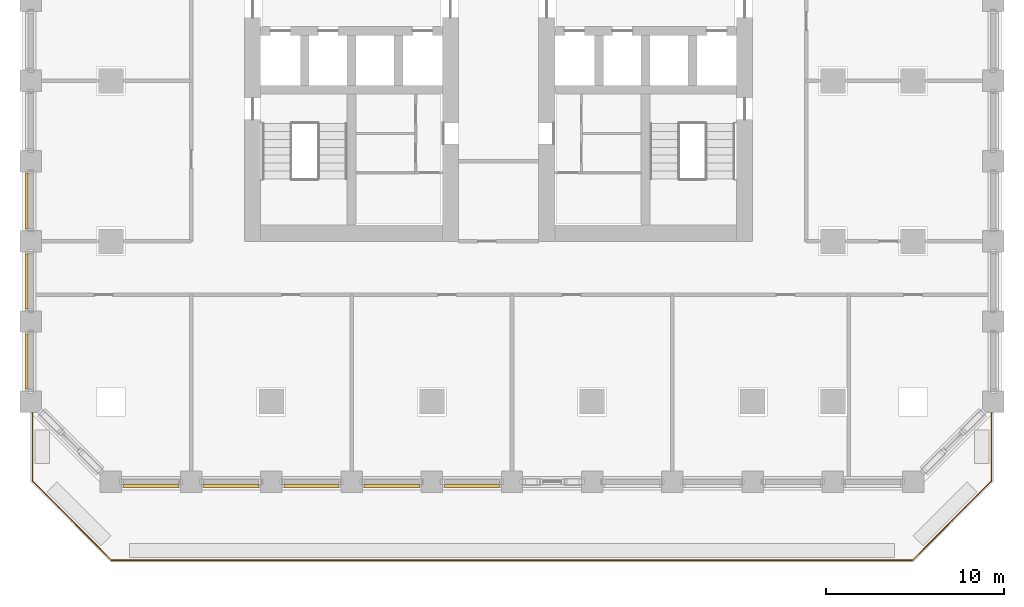
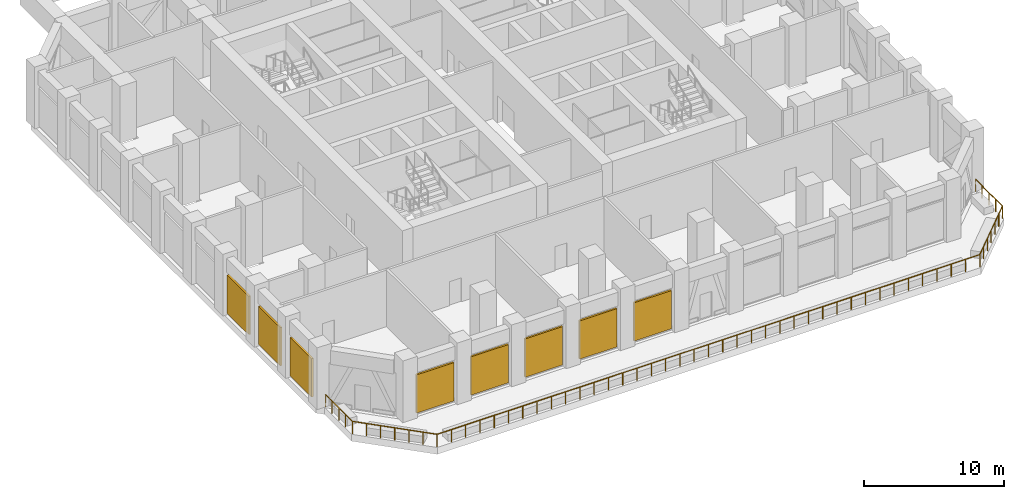
# One storey, part 13 of 20: 8 shading devices, 1 railing.
"""IFC4 building model written with IfcOpenShell, lengths in metres."""

from ifc_helpers import new_model, si_unit, direction, frame, origin, origin_2d, place, context, subcontext, project, spatial, rectangle, circle, extrude, material, layer, layer_set, type_object, element, save


model = new_model("IFC4")

# Units and contexts
model_context = context("Model", 3, precision=1e-05, world=origin(), true_north=direction((0.0, 1.0)))
body_context = subcontext(model_context, "Body", "Model", "MODEL_VIEW")
ifc_project = project(units=[si_unit("LENGTHUNIT", "METRE"), si_unit("AREAUNIT", "SQUARE_METRE"), si_unit("VOLUMEUNIT", "CUBIC_METRE"), si_unit("PLANEANGLEUNIT", "RADIAN"), si_unit("MASSUNIT", "GRAM", prefix="KILO")], contexts=[model_context])

# Site, building, storey
site_placement = place(None, origin())
site = spatial("IfcSite", under=ifc_project, at=site_placement, CompositionType="ELEMENT")
building_placement = place(site_placement, origin())
building = spatial("IfcBuilding", under=site, at=building_placement, Name="Corbel Stack Research Tower", CompositionType="ELEMENT")
storey_placement = place(building_placement, frame((0.0, 0.0, 76.60009765625)))
storey = spatial("IfcBuildingStorey", under=building, at=storey_placement, Name="L17", CompositionType="ELEMENT", Elevation=76.60009765625)

# Shading devices
ifc_material_1 = material(Name="Aluminium louvre", Category="aluminium")
ifc_layer = layer(ifc_material_1, 0.14990234375)
ifc_layer_set = layer_set([ifc_layer], Name="Aluminium louvre")
shading_device_type = type_object("IfcShadingDeviceType", Name="Plant louvre 150", PredefinedType="USERDEFINED", material=ifc_layer_set)
for number, where, z_axis, x_axis, name in (
    (1, (-15.75, -22.72509765625, 0.199951171875), (0.0, 0.0, 1.0), (1.0, 0.0, 0.0), "Plant louvre L17 S01"),
    (2, (-11.25, -22.72509765625, 0.199951171875), (0.0, 0.0, 1.0), (1.0, 0.0, 0.0), "Plant louvre L17 S02"),
    (3, (-6.75, -22.72509765625, 0.199951171875), (0.0, 0.0, 1.0), (1.0, 0.0, 0.0), "Plant louvre L17 S03"),
    (4, (-2.25, -22.72509765625, 0.199951171875), (0.0, 0.0, 1.0), (1.0, 0.0, 0.0), "Plant louvre L17 S04"),
    (5, (2.25, -22.72509765625, 0.199951171875), (0.0, 0.0, 1.0), (1.0, 0.0, 0.0), "Plant louvre L17 S05"),
    (6, (-22.72509765625, -6.75, 0.199951171875), (0.0, 0.0, 1.0), (0.0, -1.0, 0.0), "Plant louvre L17 W07"),
    (7, (-22.72509765625, -11.25, 0.199951171875), (0.0, 0.0, 1.0), (0.0, -1.0, 0.0), "Plant louvre L17 W08"),
    (8, (-22.72509765625, -15.75, 0.199951171875), (0.0, 0.0, 1.0), (0.0, -1.0, 0.0), "Plant louvre L17 W09"),
):
    element("IfcShadingDevice", number, at=place(storey_placement, frame(where, z_axis=z_axis, x_axis=x_axis)), inside=storey, type_object=shading_device_type, Name=name, ObjectType="LOUVRE", PredefinedType="USERDEFINED", context=body_context, shape_type="SweptSolid", body=[
        extrude(rectangle(XDim=3.10009765625, YDim=0.14990234375, at=origin_2d()), origin(), (0.0, 0.0, 1.0), 3.35009765625),
    ])

# Railing
ifc_material_2 = material(Name="Powder-coated steel guard", Category="steel")
railing_type = type_object("IfcRailingType", Name="Steel and glass guard 1100", PredefinedType="GUARDRAIL", material=ifc_material_2)
railing_placement = place(storey_placement, frame((31.39990234375, -18.57421875, 0.0)))
element("IfcRailing", 9, at=railing_placement, inside=storey, type_object=railing_type, Name="Terrace guard L17", PredefinedType="GUARDRAIL", context=body_context, shape_type="SweptSolid", body=[
    extrude(circle(Radius=0.02392578125, at=origin_2d()), frame((0.0, 0.0, 1.076171875), z_axis=(0.0, -1.0, 0.0), x_axis=(1.0, 0.0, 0.0)), (0.0, 0.0, 1.0), 3.88427734375),
    extrude(circle(Radius=0.02392578125, at=origin_2d()), frame((0.0, -3.88427734375, 1.076171875), z_axis=(-0.707106781187, -0.707106781187, 0.0), x_axis=(0.707106781187, -0.707106781187, 0.0)), (0.0, 0.0, 1.0), 6.281005859375),
    extrude(circle(Radius=0.02392578125, at=origin_2d()), frame((-4.44140625, -8.32568359375, 1.076171875), z_axis=(-1.0, 0.0, 0.0), x_axis=(0.0, -1.0, 0.0)), (0.0, 0.0, 1.0), 44.9169921875),
    extrude(circle(Radius=0.02392578125, at=origin_2d()), frame((-49.3583984375, -8.32568359375, 1.076171875), z_axis=(-0.707106781187, 0.707106781187, 0.0), x_axis=(-0.707106781187, -0.707106781187, 0.0)), (0.0, 0.0, 1.0), 6.281005859375),
    extrude(circle(Radius=0.02392578125, at=origin_2d()), frame((-53.7998046875, -3.88427734375, 1.076171875), z_axis=(0.0, 1.0, 0.0), x_axis=(-1.0, 0.0, 0.0)), (0.0, 0.0, 1.0), 3.88427734375),
    extrude(circle(Radius=0.02099609375, at=origin_2d()), origin(), (0.0, 0.0, 1.0), 1.052001953125),
    extrude(circle(Radius=0.02099609375, at=origin_2d()), frame((0.0, -0.97119140625, 0.0)), (0.0, 0.0, 1.0), 1.052001953125),
    extrude(circle(Radius=0.02099609375, at=origin_2d()), frame((0.0, -1.942138671875, 0.0)), (0.0, 0.0, 1.0), 1.052001953125),
    extrude(circle(Radius=0.02099609375, at=origin_2d()), frame((0.0, -2.9130859375, 0.0)), (0.0, 0.0, 1.0), 1.052001953125),
    extrude(circle(Radius=0.02099609375, at=origin_2d()), frame((0.0, -3.88427734375, 0.0)), (0.0, 0.0, 1.0), 1.052001953125),
    extrude(circle(Radius=0.02099609375, at=origin_2d()), frame((-0.740234375, -4.62451171875, 0.0)), (0.0, 0.0, 1.0), 1.052001953125),
    extrude(circle(Radius=0.02099609375, at=origin_2d()), frame((-1.48046875, -5.36474609375, 0.0)), (0.0, 0.0, 1.0), 1.052001953125),
    extrude(circle(Radius=0.02099609375, at=origin_2d()), frame((-2.220703125, -6.10498046875, 0.0)), (0.0, 0.0, 1.0), 1.052001953125),
    extrude(circle(Radius=0.02099609375, at=origin_2d()), frame((-2.9609375, -6.84521484375, 0.0)), (0.0, 0.0, 1.0), 1.052001953125),
    extrude(circle(Radius=0.02099609375, at=origin_2d()), frame((-3.701171875, -7.58544921875, 0.0)), (0.0, 0.0, 1.0), 1.052001953125),
    extrude(circle(Radius=0.02099609375, at=origin_2d()), frame((-4.44140625, -8.32568359375, 0.0)), (0.0, 0.0, 1.0), 1.052001953125),
    extrude(circle(Radius=0.02099609375, at=origin_2d()), frame((-5.62353515625, -8.32568359375, 0.0)), (0.0, 0.0, 1.0), 1.052001953125),
    extrude(circle(Radius=0.02099609375, at=origin_2d()), frame((-6.805419921875, -8.32568359375, 0.0)), (0.0, 0.0, 1.0), 1.052001953125),
    extrude(circle(Radius=0.02099609375, at=origin_2d()), frame((-7.987548828125, -8.32568359375, 0.0)), (0.0, 0.0, 1.0), 1.052001953125),
    extrude(circle(Radius=0.02099609375, at=origin_2d()), frame((-9.16943359375, -8.32568359375, 0.0)), (0.0, 0.0, 1.0), 1.052001953125),
    extrude(circle(Radius=0.02099609375, at=origin_2d()), frame((-10.3515625, -8.32568359375, 0.0)), (0.0, 0.0, 1.0), 1.052001953125),
    extrude(circle(Radius=0.02099609375, at=origin_2d()), frame((-11.533447265625, -8.32568359375, 0.0)), (0.0, 0.0, 1.0), 1.052001953125),
    extrude(circle(Radius=0.02099609375, at=origin_2d()), frame((-12.715576171875, -8.32568359375, 0.0)), (0.0, 0.0, 1.0), 1.052001953125),
    extrude(circle(Radius=0.02099609375, at=origin_2d()), frame((-13.897705078125, -8.32568359375, 0.0)), (0.0, 0.0, 1.0), 1.052001953125),
    extrude(circle(Radius=0.02099609375, at=origin_2d()), frame((-15.07958984375, -8.32568359375, 0.0)), (0.0, 0.0, 1.0), 1.052001953125),
    extrude(circle(Radius=0.02099609375, at=origin_2d()), frame((-16.26171875, -8.32568359375, 0.0)), (0.0, 0.0, 1.0), 1.052001953125),
    extrude(circle(Radius=0.02099609375, at=origin_2d()), frame((-17.443603515625, -8.32568359375, 0.0)), (0.0, 0.0, 1.0), 1.052001953125),
    extrude(circle(Radius=0.02099609375, at=origin_2d()), frame((-18.625732421875, -8.32568359375, 0.0)), (0.0, 0.0, 1.0), 1.052001953125),
    extrude(circle(Radius=0.02099609375, at=origin_2d()), frame((-19.807861328125, -8.32568359375, 0.0)), (0.0, 0.0, 1.0), 1.052001953125),
    extrude(circle(Radius=0.02099609375, at=origin_2d()), frame((-20.98974609375, -8.32568359375, 0.0)), (0.0, 0.0, 1.0), 1.052001953125),
    extrude(circle(Radius=0.02099609375, at=origin_2d()), frame((-22.171875, -8.32568359375, 0.0)), (0.0, 0.0, 1.0), 1.052001953125),
    extrude(circle(Radius=0.02099609375, at=origin_2d()), frame((-23.353759765625, -8.32568359375, 0.0)), (0.0, 0.0, 1.0), 1.052001953125),
    extrude(circle(Radius=0.02099609375, at=origin_2d()), frame((-24.535888671875, -8.32568359375, 0.0)), (0.0, 0.0, 1.0), 1.052001953125),
    extrude(circle(Radius=0.02099609375, at=origin_2d()), frame((-25.7177734375, -8.32568359375, 0.0)), (0.0, 0.0, 1.0), 1.052001953125),
    extrude(circle(Radius=0.02099609375, at=origin_2d()), frame((-26.89990234375, -8.32568359375, 0.0)), (0.0, 0.0, 1.0), 1.052001953125),
    extrude(circle(Radius=0.02099609375, at=origin_2d()), frame((-28.08203125, -8.32568359375, 0.0)), (0.0, 0.0, 1.0), 1.052001953125),
    extrude(circle(Radius=0.02099609375, at=origin_2d()), frame((-29.263916015625, -8.32568359375, 0.0)), (0.0, 0.0, 1.0), 1.052001953125),
    extrude(circle(Radius=0.02099609375, at=origin_2d()), frame((-30.446044921875, -8.32568359375, 0.0)), (0.0, 0.0, 1.0), 1.052001953125),
    extrude(circle(Radius=0.02099609375, at=origin_2d()), frame((-31.6279296875, -8.32568359375, 0.0)), (0.0, 0.0, 1.0), 1.052001953125),
    extrude(circle(Radius=0.02099609375, at=origin_2d()), frame((-32.81005859375, -8.32568359375, 0.0)), (0.0, 0.0, 1.0), 1.052001953125),
    extrude(circle(Radius=0.02099609375, at=origin_2d()), frame((-33.991943359375, -8.32568359375, 0.0)), (0.0, 0.0, 1.0), 1.052001953125),
    extrude(circle(Radius=0.02099609375, at=origin_2d()), frame((-35.174072265625, -8.32568359375, 0.0)), (0.0, 0.0, 1.0), 1.052001953125),
    extrude(circle(Radius=0.02099609375, at=origin_2d()), frame((-36.356201171875, -8.32568359375, 0.0)), (0.0, 0.0, 1.0), 1.052001953125),
    extrude(circle(Radius=0.02099609375, at=origin_2d()), frame((-37.5380859375, -8.32568359375, 0.0)), (0.0, 0.0, 1.0), 1.052001953125),
    extrude(circle(Radius=0.02099609375, at=origin_2d()), frame((-38.72021484375, -8.32568359375, 0.0)), (0.0, 0.0, 1.0), 1.052001953125),
    extrude(circle(Radius=0.02099609375, at=origin_2d()), frame((-39.902099609375, -8.32568359375, 0.0)), (0.0, 0.0, 1.0), 1.052001953125),
    extrude(circle(Radius=0.02099609375, at=origin_2d()), frame((-41.084228515625, -8.32568359375, 0.0)), (0.0, 0.0, 1.0), 1.052001953125),
    extrude(circle(Radius=0.02099609375, at=origin_2d()), frame((-42.266357421875, -8.32568359375, 0.0)), (0.0, 0.0, 1.0), 1.052001953125),
    extrude(circle(Radius=0.02099609375, at=origin_2d()), frame((-43.4482421875, -8.32568359375, 0.0)), (0.0, 0.0, 1.0), 1.052001953125),
    extrude(circle(Radius=0.02099609375, at=origin_2d()), frame((-44.63037109375, -8.32568359375, 0.0)), (0.0, 0.0, 1.0), 1.052001953125),
    extrude(circle(Radius=0.02099609375, at=origin_2d()), frame((-45.812255859375, -8.32568359375, 0.0)), (0.0, 0.0, 1.0), 1.052001953125),
    extrude(circle(Radius=0.02099609375, at=origin_2d()), frame((-46.994384765625, -8.32568359375, 0.0)), (0.0, 0.0, 1.0), 1.052001953125),
    extrude(circle(Radius=0.02099609375, at=origin_2d()), frame((-48.17626953125, -8.32568359375, 0.0)), (0.0, 0.0, 1.0), 1.052001953125),
    extrude(circle(Radius=0.02099609375, at=origin_2d()), frame((-49.3583984375, -8.32568359375, 0.0)), (0.0, 0.0, 1.0), 1.052001953125),
    extrude(circle(Radius=0.02099609375, at=origin_2d()), frame((-50.0986328125, -7.58544921875, 0.0)), (0.0, 0.0, 1.0), 1.052001953125),
    extrude(circle(Radius=0.02099609375, at=origin_2d()), frame((-50.8388671875, -6.84521484375, 0.0)), (0.0, 0.0, 1.0), 1.052001953125),
    extrude(circle(Radius=0.02099609375, at=origin_2d()), frame((-51.5791015625, -6.10498046875, 0.0)), (0.0, 0.0, 1.0), 1.052001953125),
    extrude(circle(Radius=0.02099609375, at=origin_2d()), frame((-52.3193359375, -5.36474609375, 0.0)), (0.0, 0.0, 1.0), 1.052001953125),
    extrude(circle(Radius=0.02099609375, at=origin_2d()), frame((-53.0595703125, -4.62451171875, 0.0)), (0.0, 0.0, 1.0), 1.052001953125),
    extrude(circle(Radius=0.02099609375, at=origin_2d()), frame((-53.7998046875, -3.88427734375, 0.0)), (0.0, 0.0, 1.0), 1.052001953125),
    extrude(circle(Radius=0.02099609375, at=origin_2d()), frame((-53.7998046875, -2.9130859375, 0.0)), (0.0, 0.0, 1.0), 1.052001953125),
    extrude(circle(Radius=0.02099609375, at=origin_2d()), frame((-53.7998046875, -1.942138671875, 0.0)), (0.0, 0.0, 1.0), 1.052001953125),
    extrude(circle(Radius=0.02099609375, at=origin_2d()), frame((-53.7998046875, -0.97119140625, 0.0)), (0.0, 0.0, 1.0), 1.052001953125),
    extrude(circle(Radius=0.02099609375, at=origin_2d()), frame((-53.7998046875, 0.0, 0.0)), (0.0, 0.0, 1.0), 1.052001953125),
])

save(model, "model.ifc")
